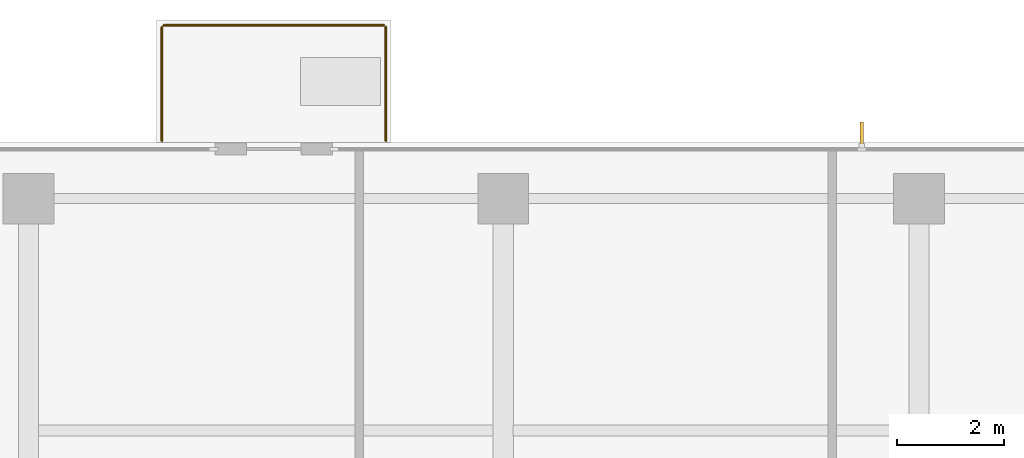
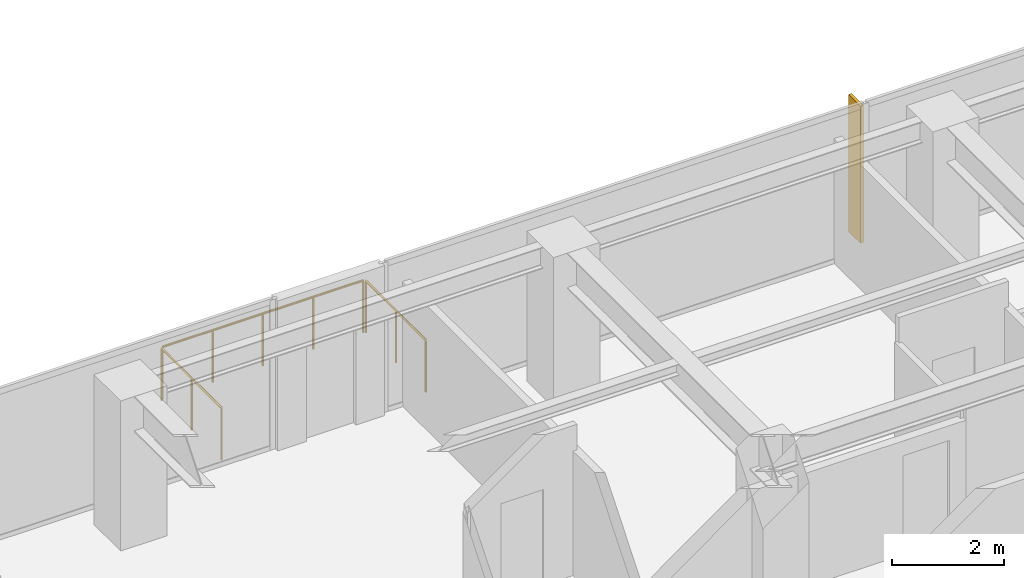
# One storey, part 14 of 14: 3 railings, 1 shading device.
"""IFC4 building model written with IfcOpenShell, lengths in metres."""

from ifc_helpers import new_model, si_unit, direction, frame, origin, origin_2d, place, context, subcontext, project, spatial, polyline, circle, outline, extrude, material, layer, layer_set, type_object, element, save


model = new_model("IFC4")

# Units and contexts
model_context = context("Model", 3, precision=1e-05, world=origin(), true_north=direction((0.0, 1.0)))
body_context = subcontext(model_context, "Body", "Model", "MODEL_VIEW")
ifc_project = project(units=[si_unit("LENGTHUNIT", "METRE"), si_unit("AREAUNIT", "SQUARE_METRE"), si_unit("VOLUMEUNIT", "CUBIC_METRE"), si_unit("PLANEANGLEUNIT", "RADIAN"), si_unit("MASSUNIT", "GRAM", prefix="KILO")], contexts=[model_context])

# Site, building, storey
site_placement = place(None, origin())
site = spatial("IfcSite", under=ifc_project, at=site_placement, CompositionType="ELEMENT")
building_placement = place(site_placement, origin())
building = spatial("IfcBuilding", under=site, at=building_placement, Name="Qalmaran Belvedere Hotel", CompositionType="ELEMENT")
storey_placement = place(building_placement, frame((0.0, 0.0, 200.39990234375)))
storey = spatial("IfcBuildingStorey", under=building, at=storey_placement, Name="L50", CompositionType="ELEMENT", Elevation=200.39990234375)

# Shading device
ifc_material = material(Name="Anodised Bronze Aluminium", Category="aluminium")
ifc_layer = layer(ifc_material, 0.06494140625, Name="Anodised Bronze Aluminium")
ifc_layer_set = layer_set([ifc_layer], Name="Anodised Bronze Aluminium")
shading_device_type = type_object("IfcShadingDeviceType", Name="FIN-BRNZ-420", PredefinedType="USERDEFINED", material=ifc_layer_set)
shading_device_placement = place(storey_placement, frame((0.0, 0.0, 0.16015625)))
element("IfcShadingDevice", 1, at=shading_device_placement, inside=storey, type_object=shading_device_type, Name="L50 Bronze Fin 1", ObjectType="FIN", PredefinedType="USERDEFINED", context=body_context, shape_type="SweptSolid", body=[
    extrude(outline(polyline([(35.95751953125, 41.467529296875), (35.95751953125, 41.887451171875), (35.892578125, 41.887451171875), (35.892578125, 41.467529296875), (35.95751953125, 41.467529296875)])), origin(), (0.0, 0.0, 1.0), 2.97998046875),
])

# Railings
railing_type = type_object("IfcRailingType", Name="GRD-BAL-1150", PredefinedType="BALUSTRADE", material=ifc_material)
railing_1_placement = place(storey_placement, frame((22.800048828125, 41.534912109375, 0.0)))
element("IfcRailing", 2, at=railing_1_placement, inside=storey, type_object=railing_type, Name="L50 Guardrail BAL-L50-N-1", PredefinedType="BALUSTRADE", context=body_context, shape_type="SweptSolid", body=[
    extrude(circle(Radius=0.02392578125, at=origin_2d()), frame((0.0, 0.0, 1.1259765625), z_axis=(0.0, 1.0, 0.0), x_axis=(-1.0, 0.0, 0.0)), (0.0, 0.0, 1.0), 2.130126953125),
    extrude(circle(Radius=0.02099609375, at=origin_2d()), origin(), (0.0, 0.0, 1.0), 1.101806640625),
    extrude(circle(Radius=0.02099609375, at=origin_2d()), frame((0.0, 1.06494140625, 0.0)), (0.0, 0.0, 1.0), 1.101806640625),
    extrude(circle(Radius=0.02099609375, at=origin_2d()), frame((0.0, 2.130126953125, 0.0)), (0.0, 0.0, 1.0), 1.101806640625),
])
railing_2_placement = place(storey_placement, frame((22.8349609375, 43.699951171875, 0.0)))
element("IfcRailing", 3, at=railing_2_placement, inside=storey, type_object=railing_type, Name="L50 Guardrail BAL-L50-N-2", PredefinedType="BALUSTRADE", context=body_context, shape_type="SweptSolid", body=[
    extrude(circle(Radius=0.02392578125, at=origin_2d()), frame((0.0, 0.0, 1.1259765625), z_axis=(1.0, 0.0, 0.0), x_axis=(0.0, 1.0, 0.0)), (0.0, 0.0, 1.0), 4.130126953125),
    extrude(circle(Radius=0.02099609375, at=origin_2d()), origin(), (0.0, 0.0, 1.0), 1.101806640625),
    extrude(circle(Radius=0.02099609375, at=origin_2d()), frame((1.032470703125, 0.0, 0.0)), (0.0, 0.0, 1.0), 1.101806640625),
    extrude(circle(Radius=0.02099609375, at=origin_2d()), frame((2.06494140625, 0.0, 0.0)), (0.0, 0.0, 1.0), 1.101806640625),
    extrude(circle(Radius=0.02099609375, at=origin_2d()), frame((3.09765625, 0.0, 0.0)), (0.0, 0.0, 1.0), 1.101806640625),
    extrude(circle(Radius=0.02099609375, at=origin_2d()), frame((4.130126953125, 0.0, 0.0)), (0.0, 0.0, 1.0), 1.101806640625),
])
railing_3_placement = place(storey_placement, frame((27.0, 43.6650390625, 0.0)))
element("IfcRailing", 4, at=railing_3_placement, inside=storey, type_object=railing_type, Name="L50 Guardrail BAL-L50-N-3", PredefinedType="BALUSTRADE", context=body_context, shape_type="SweptSolid", body=[
    extrude(circle(Radius=0.02392578125, at=origin_2d()), frame((0.0, 0.0, 1.1259765625), z_axis=(0.0, -1.0, 0.0), x_axis=(1.0, 0.0, 0.0)), (0.0, 0.0, 1.0), 2.130126953125),
    extrude(circle(Radius=0.02099609375, at=origin_2d()), origin(), (0.0, 0.0, 1.0), 1.101806640625),
    extrude(circle(Radius=0.02099609375, at=origin_2d()), frame((0.0, -1.06494140625, 0.0)), (0.0, 0.0, 1.0), 1.101806640625),
    extrude(circle(Radius=0.02099609375, at=origin_2d()), frame((0.0, -2.130126953125, 0.0)), (0.0, 0.0, 1.0), 1.101806640625),
])

save(model, "model.ifc")
